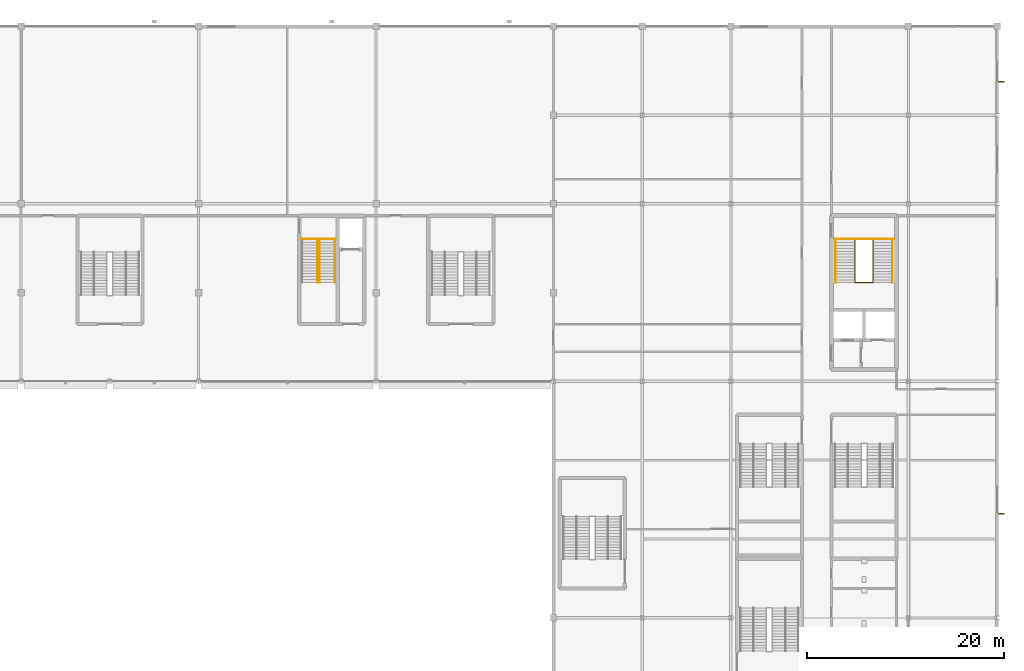
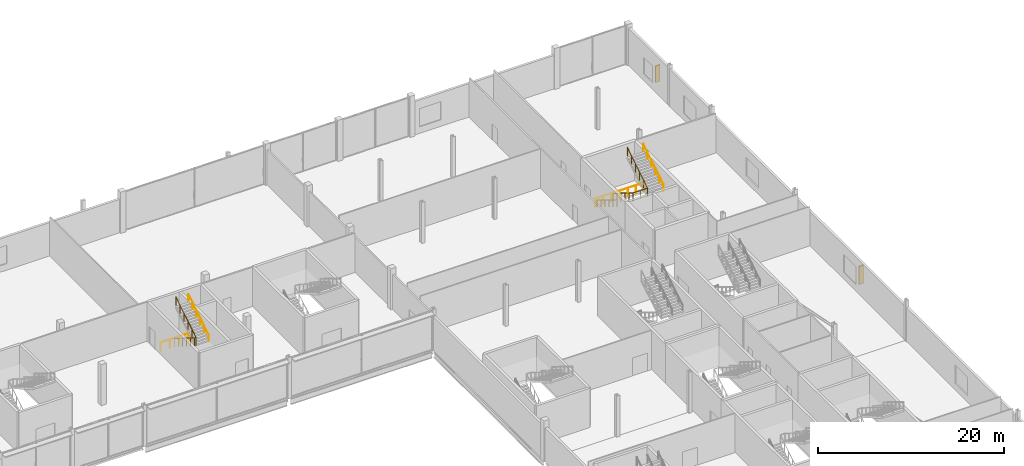
# One storey, part 110 of 111: 7 railings, 2 shading devices.
"""IFC4 building model written with IfcOpenShell, lengths in metres."""

import ifcopenshell
import ifcopenshell.guid

model = None  # the IFC model being written
_history = None  # IfcOwnerHistory: only IFC2X3 demands one
_inside = {}  # id of a spatial element -> (the spatial element, [elements in it])
_under = {}  # id of a project, library or spatial element -> (it, [spatial elements below it])
_declared = {}  # id of a project -> (the project, [libraries it declares])
_typed = {}  # id of a type object -> (the type object, [elements of that type])
_made_of = {}  # id of a material, layer set ... -> (it, [elements and type objects made of it])


def new_model(schema):
    """Start an empty IFC model of exactly this schema.

    Asked for "IFC4X3", IfcOpenShell would pick the latest addendum, in which some entities
    have other attributes; the version numbers below select the first issue.
    IFC2X3 requires an IfcOwnerHistory on every rooted entity: one is made here for all.
    """
    global model, _history
    if schema == "IFC4X3":
        model = ifcopenshell.file(schema_version=(4, 3, 0, 0))
    else:
        model = ifcopenshell.file(schema=schema)
    _inside.clear()
    _under.clear()
    _declared.clear()
    _typed.clear()
    _made_of.clear()
    _history = None
    if model.schema == "IFC2X3":
        org = make("IfcOrganization", Name="unknown")
        user = make(
            "IfcPersonAndOrganization",
            ThePerson=make("IfcPerson", FamilyName="unknown"),
            TheOrganization=org,
        )
        app = make(
            "IfcApplication",
            ApplicationDeveloper=org,
            Version="unknown",
            ApplicationFullName="unknown",
            ApplicationIdentifier="unknown",
        )
        _history = make(
            "IfcOwnerHistory",
            OwningUser=user,
            OwningApplication=app,
            ChangeAction="ADDED",
            CreationDate=0,
        )
    return model


def make(cls, **values):
    """One entity of the class cls with the attributes given. An attribute that is None is left unset."""
    return model.create_entity(
        cls, **{name: value for name, value in values.items() if value is not None}
    )


def rooted(cls, **values):
    """An entity with a GlobalId (a new one), such as an element, a storey or a relation."""
    return make(cls, GlobalId=ifcopenshell.guid.new(), OwnerHistory=_history, **values)


def si_unit(unit_type, name, prefix=None):
    """IfcSIUnit, for example si_unit("LENGTHUNIT", "METRE", prefix="MILLI")."""
    return make("IfcSIUnit", UnitType=unit_type, Prefix=prefix, Name=name)


def assignment(units):
    """IfcUnitAssignment: the units of a project."""
    return None if units is None else make("IfcUnitAssignment", Units=units)


def point(xyz):
    """IfcCartesianPoint."""
    return None if xyz is None else make("IfcCartesianPoint", Coordinates=xyz)


def direction(xyz):
    """IfcDirection."""
    return None if xyz is None else make("IfcDirection", DirectionRatios=xyz)


def frame(location, z_axis=None, x_axis=None):
    """IfcAxis2Placement3D, a coordinate frame: its origin and axes. An axis left out is left unset."""
    return make(
        "IfcAxis2Placement3D",
        Location=point(location),
        Axis=direction(z_axis),
        RefDirection=direction(x_axis),
    )


def frame_2d(location, x_axis=None):
    """IfcAxis2Placement2D, a coordinate frame in the plane: its origin and x axis."""
    return make(
        "IfcAxis2Placement2D", Location=point(location), RefDirection=direction(x_axis)
    )


def origin():
    """The frame at (0, 0, 0) with its axes left unset."""
    return frame((0.0, 0.0, 0.0))


def origin_2d():
    """The frame at (0, 0) in the plane with its x axis left unset."""
    return frame_2d((0.0, 0.0))


def place(relative_to, where):
    """IfcLocalPlacement: puts the frame where relative to a parent placement (None: the world)."""
    return make(
        "IfcLocalPlacement", PlacementRelTo=relative_to, RelativePlacement=where
    )


def context(
    kind, dimensions, precision=None, world=None, true_north=None, identifier=None
):
    """IfcGeometricRepresentationContext, for example the 3D "Model" context."""
    return make(
        "IfcGeometricRepresentationContext",
        ContextIdentifier=identifier,
        ContextType=kind,
        CoordinateSpaceDimension=dimensions,
        Precision=precision,
        WorldCoordinateSystem=world,
        TrueNorth=true_north,
    )


def subcontext(parent, identifier, kind, view, scale=None):
    """IfcGeometricRepresentationSubContext, for example "Body" below "Model"."""
    return make(
        "IfcGeometricRepresentationSubContext",
        ContextIdentifier=identifier,
        ContextType=kind,
        ParentContext=parent,
        TargetScale=scale,
        TargetView=view,
    )


def project(units=None, contexts=None):
    """IfcProject with its units and contexts."""
    return rooted(
        "IfcProject",
        Name="project",
        RepresentationContexts=contexts,
        UnitsInContext=assignment(units),
    )


def spatial(cls, under=None, at=None, **own):
    """A site, building, storey or space (cls), placed at a placement, below another one or the project."""
    s = rooted(cls, ObjectPlacement=at, **own)
    if under is not None:
        _under.setdefault(under.id(), (under, []))[1].append(s)
    return s


def profile(cls, at=None, kind="AREA", **sizes):
    """A parametric profile (cls). Its sizes go by their IFC names, for example OverallWidth=200.0."""
    return make(cls, ProfileType=kind, Position=at, **sizes)


def rectangle(**sizes):
    """IfcRectangleProfileDef."""
    return profile("IfcRectangleProfileDef", **sizes)


def circle(**sizes):
    """IfcCircleProfileDef."""
    return profile("IfcCircleProfileDef", **sizes)


def extrude(swept, where, along, depth):
    """IfcExtrudedAreaSolid: the profile swept, set in the frame where, extruded along a direction by depth."""
    return make(
        "IfcExtrudedAreaSolid",
        SweptArea=swept,
        Position=where,
        ExtrudedDirection=direction(along),
        Depth=depth,
    )


def shape(context_of_items, identifier, shape_type, items):
    """IfcShapeRepresentation: the items that make up one representation, for example the "Body"."""
    return make(
        "IfcShapeRepresentation",
        ContextOfItems=context_of_items,
        RepresentationIdentifier=identifier,
        RepresentationType=shape_type,
        Items=items,
    )


def material(Name=None, Category=None):
    """IfcMaterial."""
    return make("IfcMaterial", Name=Name, Category=Category)


def made_of(thing, what):
    """Note that an element or type object is made of a material, layer set ...; save() writes the relation."""
    if what is not None:
        _made_of.setdefault(what.id(), (what, []))[1].append(thing)
    return thing


def type_object(cls, material=None, **own):
    """A type object (cls), such as IfcWallType, which elements share."""
    return made_of(rooted(cls, **own), material)


def element(
    cls,
    number,
    at=None,
    inside=None,
    cuts=None,
    type_object=None,
    material=None,
    context=None,
    identifier="Body",
    shape_type=None,
    held_by="IfcProductDefinitionShape",
    body=None,
    shapes=None,
    **own,
):
    """One element of the class cls, such as IfcWall. Its Tag is "e" and its number.

    at: its placement. inside: the storey or other place that contains it. cuts: it is an
    opening in that element (IfcRelVoidsElement). A single representation is given by context,
    identifier, shape_type and body (its items); several are given by shapes. held_by: the class
    of the entity that holds the representations. save() writes the other relations.
    """
    e = rooted(cls, Tag="e%d" % number, ObjectPlacement=at, **own)
    if body is not None:
        shapes = [shape(context, identifier, shape_type, body)]
    if shapes is not None:
        e.Representation = make(held_by, Representations=shapes)
    if inside is not None:
        _inside.setdefault(inside.id(), (inside, []))[1].append(e)
    if cuts is not None:
        rooted(
            "IfcRelVoidsElement", RelatingBuildingElement=cuts, RelatedOpeningElement=e
        )
    if type_object is not None:
        _typed.setdefault(type_object.id(), (type_object, []))[1].append(e)
    return made_of(e, material)


def aggregate(whole, parts):
    """IfcRelAggregates: a whole, such as a stair, and the parts it consists of."""
    return rooted("IfcRelAggregates", RelatingObject=whole, RelatedObjects=parts)


def save(model, path):
    """Write the relations noted so far, then the file.

    IfcRelAggregates (storeys below a building ...), IfcRelContainedInSpatialStructure (elements
    in a storey), IfcRelDefinesByType, IfcRelAssociatesMaterial and IfcRelDeclares: one each for
    every whole, place, type object, material and project.
    """
    for whole, parts in _under.values():
        aggregate(whole, parts)
    for where, things in _inside.values():
        rooted(
            "IfcRelContainedInSpatialStructure",
            RelatedElements=things,
            RelatingStructure=where,
        )
    for kind, things in _typed.values():
        rooted("IfcRelDefinesByType", RelatedObjects=things, RelatingType=kind)
    for what, things in _made_of.values():
        rooted("IfcRelAssociatesMaterial", RelatedObjects=things, RelatingMaterial=what)
    for by, libraries in _declared.values():
        rooted("IfcRelDeclares", RelatingContext=by, RelatedDefinitions=libraries)
    model.write(path)


model = new_model("IFC4")

# Units and contexts
model_context = context("Model", 3, precision=1e-05, world=origin(), true_north=direction((0.0, 1.0)))
body_context = subcontext(model_context, "Body", "Model", "MODEL_VIEW")
ifc_project = project(units=[si_unit("LENGTHUNIT", "METRE"), si_unit("AREAUNIT", "SQUARE_METRE"), si_unit("VOLUMEUNIT", "CUBIC_METRE"), si_unit("PLANEANGLEUNIT", "RADIAN"), si_unit("MASSUNIT", "GRAM", prefix="KILO")], contexts=[model_context])

# Site, building, storey
site_placement = place(None, origin())
site = spatial("IfcSite", under=ifc_project, at=site_placement, CompositionType="ELEMENT")
building_placement = place(site_placement, origin())
building = spatial("IfcBuilding", under=site, at=building_placement, Name="Kisiwana Market Hall", CompositionType="ELEMENT")
storey_placement = place(building_placement, frame((0.0, 0.0, 11.39990234375)))
storey = spatial("IfcBuildingStorey", under=building, at=storey_placement, Name="L02", CompositionType="ELEMENT", Elevation=11.39990234375)

# Railings
ifc_material_1 = material(Name="Steel S275", Category="steel")
railing_type_1 = type_object("IfcRailingType", Name="RL-GUARD-1100", PredefinedType="GUARDRAIL", material=ifc_material_1)
railing_1_placement = place(storey_placement, frame((183.60009765625, 98.3505859375, 0.0)))
element("IfcRailing", 1, at=railing_1_placement, inside=storey, type_object=railing_type_1, Name="Stair ST-E1-L02 inner-well guardrail (RL-487)", PredefinedType="GUARDRAIL", context=body_context, shape_type="SweptSolid", body=[
    extrude(circle(Radius=0.02392578125, at=origin_2d()), frame((0.0, 0.0, 1.076171875), z_axis=(0.0, -0.849628378081, 0.527381853271), x_axis=(1.0, 0.0, 0.0)), (0.0, 0.0, 1.0), 5.1201171875),
    extrude(circle(Radius=0.02392578125, at=origin_2d()), frame((0.0, -4.35009765625, 3.7763671875), z_axis=(1.0, 0.0, 0.0), x_axis=(0.0, 1.0, 0.0)), (0.0, 0.0, 1.0), 1.7998046875),
    extrude(circle(Radius=0.02392578125, at=origin_2d()), frame((1.7998046875, -4.35009765625, 3.7763671875), z_axis=(0.0, 0.849649743971, 0.527347430608), x_axis=(-1.0, 0.0, 0.0)), (0.0, 0.0, 1.0), 5.119873046875),
    extrude(circle(Radius=0.02099609375, at=origin_2d()), origin(), (0.0, 0.0, 1.0), 1.052001953125),
    extrude(circle(Radius=0.02099609375, at=origin_2d()), frame((0.0, -0.8701171875, 0.5400390625)), (0.0, 0.0, 1.0), 1.052001953125),
    extrude(circle(Radius=0.02099609375, at=origin_2d()), frame((0.0, -1.739990234375, 1.080078125)), (0.0, 0.0, 1.0), 1.052001953125),
    extrude(circle(Radius=0.02099609375, at=origin_2d()), frame((0.0, -2.610107421875, 1.6201171875)), (0.0, 0.0, 1.0), 1.052001953125),
    extrude(circle(Radius=0.02099609375, at=origin_2d()), frame((0.0, -3.47998046875, 2.16015625)), (0.0, 0.0, 1.0), 1.052001953125),
    extrude(circle(Radius=0.02099609375, at=origin_2d()), frame((0.0, -4.35009765625, 2.7001953125)), (0.0, 0.0, 1.0), 1.052001953125),
    extrude(circle(Radius=0.02099609375, at=origin_2d()), frame((0.89990234375, -4.35009765625, 2.7001953125)), (0.0, 0.0, 1.0), 1.052001953125),
    extrude(circle(Radius=0.02099609375, at=origin_2d()), frame((1.7998046875, -4.35009765625, 2.7001953125)), (0.0, 0.0, 1.0), 1.052001953125),
    extrude(circle(Radius=0.02099609375, at=origin_2d()), frame((1.7998046875, -3.47998046875, 3.240234375)), (0.0, 0.0, 1.0), 1.052001953125),
    extrude(circle(Radius=0.02099609375, at=origin_2d()), frame((1.7998046875, -2.610107421875, 3.7802734375)), (0.0, 0.0, 1.0), 1.052001953125),
    extrude(circle(Radius=0.02099609375, at=origin_2d()), frame((1.7998046875, -1.739990234375, 4.320068359375)), (0.0, 0.0, 1.0), 1.052001953125),
    extrude(circle(Radius=0.02099609375, at=origin_2d()), frame((1.7998046875, -0.8701171875, 4.860107421875)), (0.0, 0.0, 1.0), 1.052001953125),
    extrude(circle(Radius=0.02099609375, at=origin_2d()), frame((1.7998046875, 0.0, 5.400146484375)), (0.0, 0.0, 1.0), 1.052001953125),
])
railing_2_placement = place(storey_placement, frame((181.47998046875, 98.430419921875, 0.0)))
element("IfcRailing", 2, at=railing_2_placement, inside=storey, type_object=railing_type_1, Name="Stair ST-E1-L02 landing edge guardrail (RL-490)", PredefinedType="GUARDRAIL", context=body_context, shape_type="SweptSolid", body=[
    extrude(circle(Radius=0.02392578125, at=origin_2d()), frame((0.0, 0.0, 1.076171875), z_axis=(1.0, 0.0, 0.0), x_axis=(0.0, 1.0, 0.0)), (0.0, 0.0, 1.0), 6.0400390625),
    extrude(circle(Radius=0.02099609375, at=origin_2d()), origin(), (0.0, 0.0, 1.0), 1.052001953125),
    extrude(circle(Radius=0.02099609375, at=origin_2d()), frame((1.006591796875, 0.0, 0.0)), (0.0, 0.0, 1.0), 1.052001953125),
    extrude(circle(Radius=0.02099609375, at=origin_2d()), frame((2.013427734375, 0.0, 0.0)), (0.0, 0.0, 1.0), 1.052001953125),
    extrude(circle(Radius=0.02099609375, at=origin_2d()), frame((3.02001953125, 0.0, 0.0)), (0.0, 0.0, 1.0), 1.052001953125),
    extrude(circle(Radius=0.02099609375, at=origin_2d()), frame((4.026611328125, 0.0, 0.0)), (0.0, 0.0, 1.0), 1.052001953125),
    extrude(circle(Radius=0.02099609375, at=origin_2d()), frame((5.033447265625, 0.0, 0.0)), (0.0, 0.0, 1.0), 1.052001953125),
    extrude(circle(Radius=0.02099609375, at=origin_2d()), frame((6.0400390625, 0.0, 0.0)), (0.0, 0.0, 1.0), 1.052001953125),
])
railing_3_placement = place(storey_placement, frame((129.06005859375, 98.390380859375, 0.0)))
element("IfcRailing", 3, at=railing_3_placement, inside=storey, type_object=railing_type_1, Name="Stair ST-N2-L02 inner-well guardrail (RL-503)", PredefinedType="GUARDRAIL", context=body_context, shape_type="SweptSolid", body=[
    extrude(circle(Radius=0.02392578125, at=origin_2d()), frame((0.0, 0.0, 1.076171875), z_axis=(0.0, -0.849615114927, 0.52740322002), x_axis=(1.0, 0.0, 0.0)), (0.0, 0.0, 1.0), 5.119873046875),
    extrude(circle(Radius=0.02392578125, at=origin_2d()), frame((0.0, -4.349853515625, 3.7763671875), z_axis=(1.0, 0.0, 0.0), x_axis=(0.0, 1.0, 0.0)), (0.0, 0.0, 1.0), 0.199951171875),
    extrude(circle(Radius=0.02392578125, at=origin_2d()), frame((0.199951171875, -4.349853515625, 3.7763671875), z_axis=(0.0, 0.849636482215, 0.527368797038), x_axis=(-1.0, 0.0, 0.0)), (0.0, 0.0, 1.0), 5.11962890625),
    extrude(circle(Radius=0.02099609375, at=origin_2d()), origin(), (0.0, 0.0, 1.0), 1.052001953125),
    extrude(circle(Radius=0.02099609375, at=origin_2d()), frame((0.0, -0.869873046875, 0.5400390625)), (0.0, 0.0, 1.0), 1.052001953125),
    extrude(circle(Radius=0.02099609375, at=origin_2d()), frame((0.0, -1.739990234375, 1.080078125)), (0.0, 0.0, 1.0), 1.052001953125),
    extrude(circle(Radius=0.02099609375, at=origin_2d()), frame((0.0, -2.60986328125, 1.6201171875)), (0.0, 0.0, 1.0), 1.052001953125),
    extrude(circle(Radius=0.02099609375, at=origin_2d()), frame((0.0, -3.47998046875, 2.16015625)), (0.0, 0.0, 1.0), 1.052001953125),
    extrude(circle(Radius=0.02099609375, at=origin_2d()), frame((0.0, -4.349853515625, 2.7001953125)), (0.0, 0.0, 1.0), 1.052001953125),
    extrude(circle(Radius=0.02099609375, at=origin_2d()), frame((0.199951171875, -4.349853515625, 2.7001953125)), (0.0, 0.0, 1.0), 1.052001953125),
    extrude(circle(Radius=0.02099609375, at=origin_2d()), frame((0.199951171875, -3.47998046875, 3.240234375)), (0.0, 0.0, 1.0), 1.052001953125),
    extrude(circle(Radius=0.02099609375, at=origin_2d()), frame((0.199951171875, -2.60986328125, 3.7802734375)), (0.0, 0.0, 1.0), 1.052001953125),
    extrude(circle(Radius=0.02099609375, at=origin_2d()), frame((0.199951171875, -1.739990234375, 4.320068359375)), (0.0, 0.0, 1.0), 1.052001953125),
    extrude(circle(Radius=0.02099609375, at=origin_2d()), frame((0.199951171875, -0.869873046875, 4.860107421875)), (0.0, 0.0, 1.0), 1.052001953125),
    extrude(circle(Radius=0.02099609375, at=origin_2d()), frame((0.199951171875, 0.0, 5.400146484375)), (0.0, 0.0, 1.0), 1.052001953125),
])
railing_4_placement = place(storey_placement, frame((127.419921875, 98.450439453125, 0.0)))
element("IfcRailing", 4, at=railing_4_placement, inside=storey, type_object=railing_type_1, Name="Stair ST-N2-L02 landing edge guardrail (RL-506)", PredefinedType="GUARDRAIL", context=body_context, shape_type="SweptSolid", body=[
    extrude(circle(Radius=0.02392578125, at=origin_2d()), frame((0.0, 0.0, 1.076171875), z_axis=(1.0, 0.0, 0.0), x_axis=(0.0, 1.0, 0.0)), (0.0, 0.0, 1.0), 3.47998046875),
    extrude(circle(Radius=0.02099609375, at=origin_2d()), origin(), (0.0, 0.0, 1.0), 1.052001953125),
    extrude(circle(Radius=0.02099609375, at=origin_2d()), frame((1.159912109375, 0.0, 0.0)), (0.0, 0.0, 1.0), 1.052001953125),
    extrude(circle(Radius=0.02099609375, at=origin_2d()), frame((2.320068359375, 0.0, 0.0)), (0.0, 0.0, 1.0), 1.052001953125),
    extrude(circle(Radius=0.02099609375, at=origin_2d()), frame((3.47998046875, 0.0, 0.0)), (0.0, 0.0, 1.0), 1.052001953125),
])
ifc_material_2 = material(Name="Steel S275", Category="steel")
railing_type_2 = type_object("IfcRailingType", Name="RL-HAND-900", PredefinedType="HANDRAIL", material=ifc_material_2)
railing_5_placement = place(storey_placement, frame((181.610107421875, 98.3505859375, 0.0)))
element("IfcRailing", 5, at=railing_5_placement, inside=storey, type_object=railing_type_2, Name="Stair ST-E1-L02 flight 1 handrail (RL-488)", PredefinedType="HANDRAIL", context=body_context, shape_type="SweptSolid", body=[
    extrude(circle(Radius=0.02392578125, at=origin_2d()), frame((0.0, 0.0, 0.8759765625), z_axis=(0.0, -0.849628378081, 0.527381853271), x_axis=(1.0, 0.0, 0.0)), (0.0, 0.0, 1.0), 5.1201171875),
    extrude(circle(Radius=0.02099609375, at=origin_2d()), origin(), (0.0, 0.0, 1.0), 0.851806640625),
    extrude(circle(Radius=0.02099609375, at=origin_2d()), frame((0.0, -0.8701171875, 0.5400390625)), (0.0, 0.0, 1.0), 0.851806640625),
    extrude(circle(Radius=0.02099609375, at=origin_2d()), frame((0.0, -1.739990234375, 1.080078125)), (0.0, 0.0, 1.0), 0.851806640625),
    extrude(circle(Radius=0.02099609375, at=origin_2d()), frame((0.0, -2.610107421875, 1.6201171875)), (0.0, 0.0, 1.0), 0.851806640625),
    extrude(circle(Radius=0.02099609375, at=origin_2d()), frame((0.0, -3.47998046875, 2.16015625)), (0.0, 0.0, 1.0), 0.851806640625),
    extrude(circle(Radius=0.02099609375, at=origin_2d()), frame((0.0, -4.35009765625, 2.7001953125)), (0.0, 0.0, 1.0), 0.851806640625),
])
railing_6_placement = place(storey_placement, frame((187.389892578125, 94.00048828125, 2.7001953125)))
element("IfcRailing", 6, at=railing_6_placement, inside=storey, type_object=railing_type_2, Name="Stair ST-E1-L02 flight 2 handrail (RL-489)", PredefinedType="HANDRAIL", context=body_context, shape_type="SweptSolid", body=[
    extrude(circle(Radius=0.02392578125, at=origin_2d()), frame((0.0, 0.0, 0.8759765625), z_axis=(0.0, 0.849649743971, 0.527347430608), x_axis=(-1.0, 0.0, 0.0)), (0.0, 0.0, 1.0), 5.119873046875),
    extrude(circle(Radius=0.02099609375, at=origin_2d()), origin(), (0.0, 0.0, 1.0), 0.851806640625),
    extrude(circle(Radius=0.02099609375, at=origin_2d()), frame((0.0, 0.8701171875, 0.5400390625)), (0.0, 0.0, 1.0), 0.851806640625),
    extrude(circle(Radius=0.02099609375, at=origin_2d()), frame((0.0, 1.739990234375, 1.080078125)), (0.0, 0.0, 1.0), 0.851806640625),
    extrude(circle(Radius=0.02099609375, at=origin_2d()), frame((0.0, 2.610107421875, 1.619873046875)), (0.0, 0.0, 1.0), 0.851806640625),
    extrude(circle(Radius=0.02099609375, at=origin_2d()), frame((0.0, 3.47998046875, 2.159912109375)), (0.0, 0.0, 1.0), 0.851806640625),
    extrude(circle(Radius=0.02099609375, at=origin_2d()), frame((0.0, 4.35009765625, 2.699951171875)), (0.0, 0.0, 1.0), 0.851806640625),
])
railing_7_placement = place(storey_placement, frame((130.840087890625, 94.04052734375, 2.7001953125)))
element("IfcRailing", 7, at=railing_7_placement, inside=storey, type_object=railing_type_2, Name="Stair ST-N2-L02 flight 2 handrail (RL-505)", PredefinedType="HANDRAIL", context=body_context, shape_type="SweptSolid", body=[
    extrude(circle(Radius=0.02392578125, at=origin_2d()), frame((0.0, 0.0, 0.8759765625), z_axis=(0.0, 0.849636482215, 0.527368797038), x_axis=(-1.0, 0.0, 0.0)), (0.0, 0.0, 1.0), 5.11962890625),
    extrude(circle(Radius=0.02099609375, at=origin_2d()), origin(), (0.0, 0.0, 1.0), 0.851806640625),
    extrude(circle(Radius=0.02099609375, at=origin_2d()), frame((0.0, 0.869873046875, 0.5400390625)), (0.0, 0.0, 1.0), 0.851806640625),
    extrude(circle(Radius=0.02099609375, at=origin_2d()), frame((0.0, 1.739990234375, 1.080078125)), (0.0, 0.0, 1.0), 0.851806640625),
    extrude(circle(Radius=0.02099609375, at=origin_2d()), frame((0.0, 2.60986328125, 1.619873046875)), (0.0, 0.0, 1.0), 0.851806640625),
    extrude(circle(Radius=0.02099609375, at=origin_2d()), frame((0.0, 3.47998046875, 2.159912109375)), (0.0, 0.0, 1.0), 0.851806640625),
    extrude(circle(Radius=0.02099609375, at=origin_2d()), frame((0.0, 4.349853515625, 2.699951171875)), (0.0, 0.0, 1.0), 0.851806640625),
])

# Shading devices
ifc_material_3 = material(Name="Aluminium alloy 6063-T6", Category="aluminium")
shading_device_type = type_object("IfcShadingDeviceType", Name="SHD-SHUTTER-V", PredefinedType="SHUTTER", material=ifc_material_3)
shading_device_1_placement = place(storey_placement, frame((198.419921875, 70.570068359375, 0.85009765625), z_axis=(0.0, 0.0, 1.0), x_axis=(0.0, 1.0, 0.0)))
element("IfcShadingDevice", 8, at=shading_device_1_placement, inside=storey, type_object=shading_device_type, Name="Vertical solar fin SHD-061 SD-061", PredefinedType="SHUTTER", context=body_context, shape_type="SweptSolid", body=[
    extrude(rectangle(XDim=0.1201171875, YDim=0.550048828125, at=origin_2d()), origin(), (0.0, 0.0, 1.0), 2.39990234375),
])
shading_device_2_placement = place(storey_placement, frame((198.419921875, 114.380859375, 0.85009765625), z_axis=(0.0, 0.0, 1.0), x_axis=(0.0, 1.0, 0.0)))
element("IfcShadingDevice", 9, at=shading_device_2_placement, inside=storey, type_object=shading_device_type, Name="Vertical solar fin SHD-062 SD-062", PredefinedType="SHUTTER", context=body_context, shape_type="SweptSolid", body=[
    extrude(rectangle(XDim=0.1201171875, YDim=0.550048828125, at=origin_2d()), origin(), (0.0, 0.0, 1.0), 2.199951171875),
])

save(model, "model.ifc")
